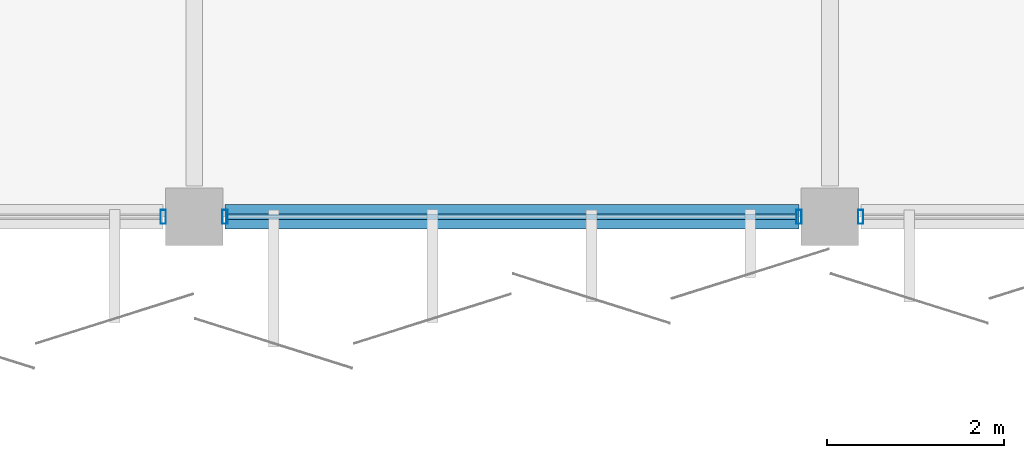
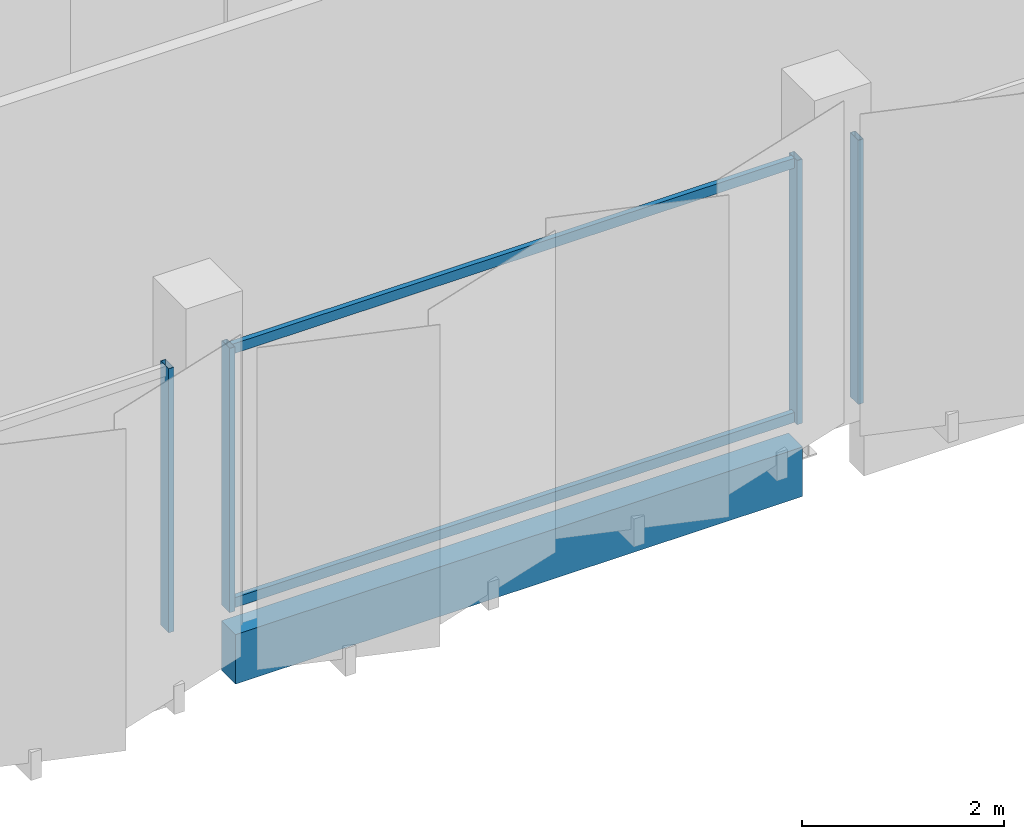
# One storey, part 51 of 108: 6 members, 1 beam, 3 elements without a shape of their own.
"""IFC4 building model written with IfcOpenShell, lengths in metres."""

from ifc_helpers import new_model, si_unit, direction, frame, origin, origin_2d, place, context, subcontext, project, spatial, rectangle, hollow_rectangle, extrude, material, layer, layer_set, material_profile, profile_set, type_object, element, aggregate, save


model = new_model("IFC4")

# Units and contexts
model_context = context("Model", 3, precision=1e-05, world=origin(), true_north=direction((0.0, 1.0)))
body_context = subcontext(model_context, "Body", "Model", "MODEL_VIEW")
ifc_project = project(units=[si_unit("LENGTHUNIT", "METRE"), si_unit("AREAUNIT", "SQUARE_METRE"), si_unit("VOLUMEUNIT", "CUBIC_METRE"), si_unit("PLANEANGLEUNIT", "RADIAN"), si_unit("MASSUNIT", "GRAM", prefix="KILO")], contexts=[model_context])

# Site, building, storey
site_placement = place(None, origin())
site = spatial("IfcSite", under=ifc_project, at=site_placement, CompositionType="ELEMENT")
building_placement = place(site_placement, origin())
building = spatial("IfcBuilding", under=site, at=building_placement, Name="Kangsadwip Square Police Headquarters", CompositionType="ELEMENT")
storey_placement = place(building_placement, frame((0.0, 0.0, 9.449951171875)))
storey = spatial("IfcBuildingStorey", under=building, at=storey_placement, Name="L02", CompositionType="ELEMENT", Elevation=9.449951171875)

# Curtain wall, member
ifc_material_1 = material(Name="Thermally broken anodised aluminium AW-6063-T6", Category="aluminium")
ifc_layer_1 = layer(ifc_material_1, 0.159912109375)
ifc_layer_set_1 = layer_set([ifc_layer_1], Name="Thermally broken anodised aluminium AW-6063-T6")
curtain_wall_type_1 = type_object("IfcCurtainWallType", Name="CourtScreen6560x3200", PredefinedType="USERDEFINED", material=ifc_layer_set_1)
curtain_wall_1_placement = place(storey_placement, origin())
curtain_wall_1 = element("IfcCurtainWall", 1, at=curtain_wall_1_placement, inside=storey, type_object=curtain_wall_type_1, Name="Curtain Wall CW-L02-1227-0936", ObjectType="GLAZED_SCREEN", PredefinedType="USERDEFINED")
ifc_material_2 = material(Name="Thermally broken anodised aluminium AW-6063-T6", Category="aluminium")
ifc_material_profile_1 = material_profile(ifc_material_2, hollow_rectangle(XDim=0.06005859375, YDim=0.159912109375, WallThickness=0.00390625, at=origin_2d()), Name="CWM 160X60X4")
ifc_profile_set_1 = profile_set([ifc_material_profile_1], Name="Thermally broken anodised aluminium AW-6063-T6")
member_type_1 = type_object("IfcMemberType", Name="CwMullion135x60", PredefinedType="MULLION", material=ifc_profile_set_1)
member_1_placement = place(storey_placement, frame((129.25, 93.60009765625, 0.0), z_axis=(0.0, 0.0, 1.0), x_axis=(1.0, 0.0, 0.0)))
member_1 = element("IfcMember", 2, at=member_1_placement, type_object=member_type_1, Name="CW-33 mullion 2", PredefinedType="MULLION", context=body_context, shape_type="SweptSolid", body=[
    extrude(hollow_rectangle(XDim=0.06005859375, YDim=0.159912109375, WallThickness=0.00390625, at=origin_2d()), origin(), (0.0, 0.0, 1.0), 3.199951171875),
])
aggregate(curtain_wall_1, [member_1])

# Curtain wall, members
curtain_wall_2_placement = place(storey_placement, origin())
curtain_wall_2 = element("IfcCurtainWall", 3, at=curtain_wall_2_placement, inside=storey, type_object=curtain_wall_type_1, Name="Curtain Wall CW-L02-1299-0936", ObjectType="GLAZED_SCREEN", PredefinedType="USERDEFINED")
member_2_placement = place(storey_placement, frame((129.949951171875, 93.60009765625, 0.0), z_axis=(0.0, 0.0, 1.0), x_axis=(1.0, 0.0, 0.0)))
member_2 = element("IfcMember", 4, at=member_2_placement, type_object=member_type_1, Name="CW-33 mullion 1", PredefinedType="MULLION", context=body_context, shape_type="SweptSolid", body=[
    extrude(hollow_rectangle(XDim=0.06005859375, YDim=0.159912109375, WallThickness=0.00390625, at=origin_2d()), origin(), (0.0, 0.0, 1.0), 3.199951171875),
])
member_3_placement = place(storey_placement, frame((136.449951171875, 93.60009765625, 0.0), z_axis=(0.0, 0.0, 1.0), x_axis=(1.0, 0.0, 0.0)))
member_3 = element("IfcMember", 5, at=member_3_placement, type_object=member_type_1, Name="CW-33 mullion 2", PredefinedType="MULLION", context=body_context, shape_type="SweptSolid", body=[
    extrude(hollow_rectangle(XDim=0.06005859375, YDim=0.159912109375, WallThickness=0.00390625, at=origin_2d()), origin(), (0.0, 0.0, 1.0), 3.199951171875),
])

# Curtain wall, member
ifc_material_3 = material(Name="Thermally broken anodised aluminium AW-6063-T6", Category="aluminium")
ifc_layer_2 = layer(ifc_material_3, 0.159912109375)
ifc_layer_set_2 = layer_set([ifc_layer_2], Name="Thermally broken anodised aluminium AW-6063-T6")
curtain_wall_type_2 = type_object("IfcCurtainWallType", Name="CourtScreen6510x3200", PredefinedType="USERDEFINED", material=ifc_layer_set_2)
curtain_wall_3_placement = place(storey_placement, origin())
curtain_wall_3 = element("IfcCurtainWall", 6, at=curtain_wall_3_placement, inside=storey, type_object=curtain_wall_type_2, Name="Curtain Wall CW-L02-1371-0936", ObjectType="GLAZED_SCREEN", PredefinedType="USERDEFINED")
member_4_placement = place(storey_placement, frame((137.14990234375, 93.60009765625, 0.0), z_axis=(0.0, 0.0, 1.0), x_axis=(1.0, 0.0, 0.0)))
member_4 = element("IfcMember", 7, at=member_4_placement, type_object=member_type_1, Name="CW-19 mullion 1", PredefinedType="MULLION", context=body_context, shape_type="SweptSolid", body=[
    extrude(hollow_rectangle(XDim=0.06005859375, YDim=0.159912109375, WallThickness=0.00390625, at=origin_2d()), origin(), (0.0, 0.0, 1.0), 3.199951171875),
])
aggregate(curtain_wall_3, [member_4])

# Member
ifc_material_4 = material(Name="Thermally broken anodised aluminium AW-6063-T6", Category="aluminium")
ifc_material_profile_2 = material_profile(ifc_material_4, hollow_rectangle(XDim=0.06005859375, YDim=0.1201171875, WallThickness=0.00390625, at=origin_2d()), Name="CWT 120X60X4")
ifc_profile_set_2 = profile_set([ifc_material_profile_2], Name="Thermally broken anodised aluminium AW-6063-T6")
member_type_2 = type_object("IfcMemberType", Name="CwTransom120x55", PredefinedType="USERDEFINED", material=ifc_profile_set_2)
member_5_placement = place(storey_placement, frame((129.97998046875, 93.60009765625, 0.06005859375), z_axis=(1.0, 0.0, 0.0), x_axis=(0.0, 1.0, 0.0)))
member_5 = element("IfcMember", 8, at=member_5_placement, type_object=member_type_2, Name="CW-33 transom 1.1", ObjectType="TRANSOM", PredefinedType="USERDEFINED", context=body_context, shape_type="SweptSolid", body=[
    extrude(hollow_rectangle(XDim=0.06005859375, YDim=0.1201171875, WallThickness=0.00390625, at=origin_2d()), origin(), (0.0, 0.0, 1.0), 6.43994140625),
])

member_6_placement = place(storey_placement, frame((129.97998046875, 93.60009765625, 3.14013671875), z_axis=(1.0, 0.0, 0.0), x_axis=(0.0, 1.0, 0.0)))
member_6 = element("IfcMember", 9, at=member_6_placement, type_object=member_type_2, Name="CW-33 transom 1.2", ObjectType="TRANSOM", PredefinedType="USERDEFINED", context=body_context, shape_type="SweptSolid", body=[
    extrude(hollow_rectangle(XDim=0.06005859375, YDim=0.1201171875, WallThickness=0.00390625, at=origin_2d()), origin(), (0.0, 0.0, 1.0), 6.43994140625),
])

aggregate(curtain_wall_2, [member_2, member_3, member_5, member_6])

# Beam
ifc_material_5 = material(Name="Concrete M40 (40 MPa)", Category="concrete")
ifc_material_profile_3 = material_profile(ifc_material_5, rectangle(XDim=0.280029296875, YDim=0.60009765625, at=origin_2d()), Name="RC SPN 600X280")
ifc_profile_set_3 = profile_set([ifc_material_profile_3], Name="Concrete M40 (40 MPa)")
beam_type = type_object("IfcBeamType", Name="RcSpandrel600x280", PredefinedType="SPANDREL", material=ifc_profile_set_3)
beam_placement = place(storey_placement, frame((129.949951171875, 93.60009765625, -0.5400390625), z_axis=(1.0, 0.0, 0.0), x_axis=(0.0, 1.0, 0.0)))
element("IfcBeam", 10, at=beam_placement, inside=storey, type_object=beam_type, Name="Beam BM-L02-X-18-13", PredefinedType="SPANDREL", context=body_context, shape_type="SweptSolid", body=[
    extrude(rectangle(XDim=0.280029296875, YDim=0.60009765625, at=origin_2d()), origin(), (0.0, 0.0, 1.0), 6.5),
])

save(model, "model.ifc")
